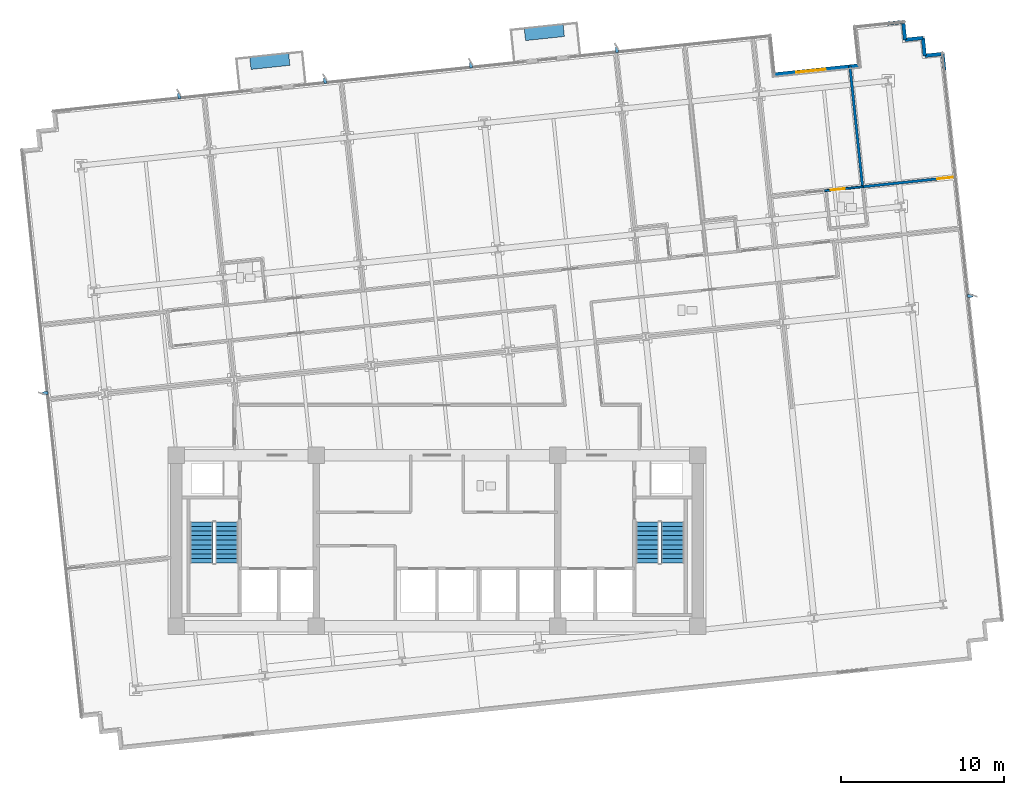
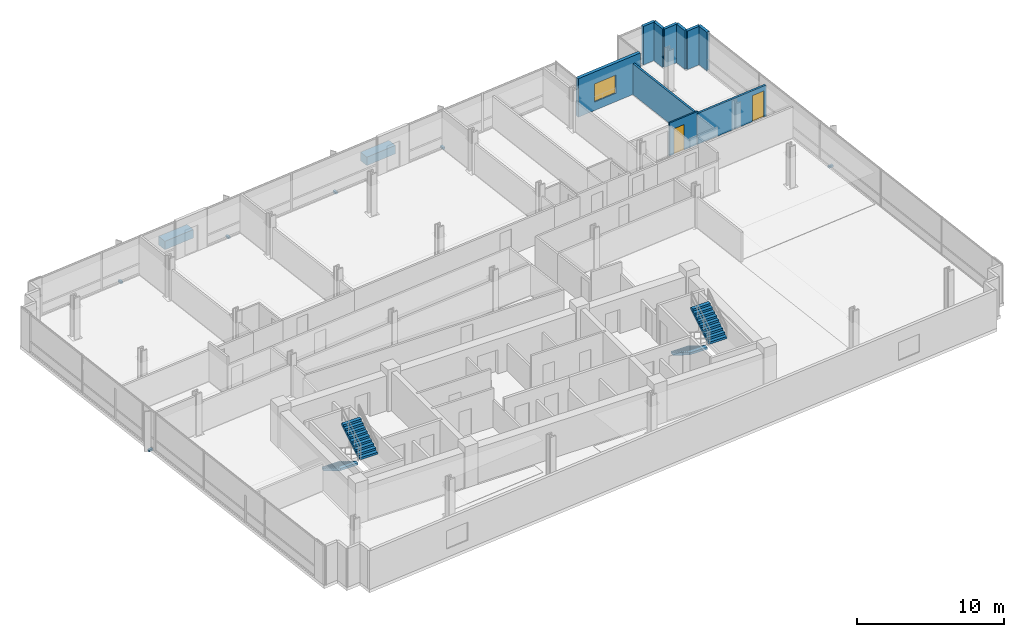
# One storey, part 16 of 20: 10 walls, 8 discrete accessories, 4 stair flights, 2 doors, 1 window, 3 openings, 2 elements without a shape of their own.
"""IFC4 building model written with IfcOpenShell, lengths in metres."""

from ifc_helpers import new_model, si_unit, direction, frame, frame_2d, origin, origin_2d, place, context, subcontext, project, spatial, polyline, rectangle, outline, extrude, material, layer, layer_set, type_object, element, fill, aggregate, save


model = new_model("IFC4")

# Units and contexts
model_context = context("Model", 3, precision=1e-05, world=origin(), true_north=direction((0.0, 1.0)))
body_context = subcontext(model_context, "Body", "Model", "MODEL_VIEW")
ifc_project = project(units=[si_unit("LENGTHUNIT", "METRE"), si_unit("AREAUNIT", "SQUARE_METRE"), si_unit("VOLUMEUNIT", "CUBIC_METRE"), si_unit("PLANEANGLEUNIT", "RADIAN"), si_unit("MASSUNIT", "GRAM", prefix="KILO")], contexts=[model_context])

# Site, building, storey
site_placement = place(None, origin())
site = spatial("IfcSite", under=ifc_project, at=site_placement, CompositionType="ELEMENT")
building_placement = place(site_placement, origin())
building = spatial("IfcBuilding", under=site, at=building_placement, Name="Solmavex Isthmus Hotel", CompositionType="ELEMENT")
storey_placement = place(building_placement, frame((0.0, 0.0, 109.800048828125)))
storey = spatial("IfcBuildingStorey", under=building, at=storey_placement, Name="L29", CompositionType="ELEMENT", Elevation=109.800048828125)

# Wall, opening, window
ifc_material_1 = material(Name="Precast Concrete C40/50", Category="concrete")
ifc_layer_1 = layer(ifc_material_1, 0.25)
ifc_layer_set_1 = layer_set([ifc_layer_1], Name="Precast Concrete C40/50")
wall_type_1 = type_object("IfcWallType", Name="EW-TWR-250", PredefinedType="STANDARD", material=ifc_layer_set_1)
wall_1_placement = place(storey_placement, frame((20.6982421875, 20.8369140625, 0.0), z_axis=(0.0, 0.0, 1.0), x_axis=(0.994519078969, 0.104555256048, 0.0)))
wall_1 = element("IfcWall", 1, at=wall_1_placement, inside=storey, type_object=wall_type_1, Name="Sky Garden Back Facade Wall L29", PredefinedType="STANDARD", context=body_context, shape_type="SweptSolid", body=[
    extrude(rectangle(XDim=5.2001953125, YDim=0.25, at=frame_2d((2.60009765625, 0.0))), origin(), (0.0, 0.0, 1.0), 3.18994140625),
])
opening_1_placement = place(wall_1_placement, frame((1.35009765625, 0.0, 0.699951171875)))
opening_1 = element("IfcOpeningElement", 2, at=opening_1_placement, cuts=wall_1, Name="Opening WN-02", PredefinedType="OPENING", context=body_context, shape_type="SweptSolid", body=[
    extrude(rectangle(XDim=1.800048828125, YDim=1.5, at=frame_2d((0.89990234375, 0.75))), frame((0.0, 0.135009765625, 0.0), z_axis=(0.0, -1.0, 0.0), x_axis=(1.0, 0.0, 0.0)), (0.0, 0.0, 1.0), 0.27001953125),
])
ifc_material_2 = material(Name="Clear low-E laminated glass", Category="glass")
window_type = type_object("IfcWindowType", Name="WIN-TWR-1800", PartitioningType="SINGLE_PANEL", PredefinedType="WINDOW", material=ifc_material_2)
window_placement = place(opening_1_placement, origin())
window = element("IfcWindow", 3, at=window_placement, inside=storey, type_object=window_type, Name="Sky Garden Overlook Window L29", OverallHeight=1.5, OverallWidth=1.800048828125, PartitioningType="SINGLE_PANEL", PredefinedType="WINDOW", context=body_context, shape_type="SweptSolid", body=[
    extrude(rectangle(XDim=1.800048828125, YDim=1.5, at=frame_2d((0.89990234375, 0.75))), frame((0.0, 0.030029296875, 0.0), z_axis=(0.0, -1.0, 0.0), x_axis=(1.0, 0.0, 0.0)), (0.0, 0.0, 1.0), 0.06005859375),
])
fill(opening_1, window)

# Walls
wall_2_placement = place(storey_placement, frame((27.609130859375, 23.966552734375, 0.0), z_axis=(0.0, 0.0, 1.0), x_axis=(0.994516259927, 0.104582067016, 0.0)))
element("IfcWall", 4, at=wall_2_placement, inside=storey, type_object=wall_type_1, Name="Serrated Corner Facade Panel L29-14", PredefinedType="STANDARD", context=body_context, shape_type="SweptSolid", body=[
    extrude(rectangle(XDim=0.98974609375, YDim=0.219970703125, at=frame_2d((0.494873046875, 0.0))), origin(), (0.0, 0.0, 1.0), 3.18994140625),
])
for number, where, z_axis, x_axis, name in (
    (5, (28.593505859375, 24.070068359375, 0.0), (0.0, 0.0, 1.0), (0.104534592565, -0.994521251134, 0.0), "Serrated Corner Facade Panel L29-15"),
    (6, (28.70849609375, 22.97607421875, 0.0), (0.0, 0.0, 1.0), (0.994521251134, 0.104534592565, 0.0), "Serrated Corner Facade Panel L29-16"),
    (7, (29.802490234375, 23.091064453125, 0.0), (0.0, 0.0, 1.0), (0.104534592565, -0.994521251134, 0.0), "Serrated Corner Facade Panel L29-17"),
    (8, (29.91748046875, 21.9970703125, 0.0), (0.0, 0.0, 1.0), (0.994521251134, 0.104534592565, 0.0), "Serrated Corner Facade Panel L29-18"),
):
    element("IfcWall", number, at=place(storey_placement, frame(where, z_axis=z_axis, x_axis=x_axis)), inside=storey, type_object=wall_type_1, Name=name, PredefinedType="STANDARD", context=body_context, shape_type="SweptSolid", body=[
        extrude(rectangle(XDim=1.10009765625, YDim=0.219970703125, at=frame_2d((0.550048828125, 0.0))), origin(), (0.0, 0.0, 1.0), 3.18994140625),
    ])
wall_3_placement = place(storey_placement, frame((31.011474609375, 22.112060546875, 0.0), z_axis=(0.0, 0.0, 1.0), x_axis=(0.104556418955, -0.99451895671, 0.0)))
element("IfcWall", 9, at=wall_3_placement, inside=storey, type_object=wall_type_1, Name="Serrated Corner Facade Panel L29-19", PredefinedType="STANDARD", context=body_context, shape_type="SweptSolid", body=[
    extrude(rectangle(XDim=0.989990234375, YDim=0.219970703125, at=frame_2d((0.4951171875, 0.0))), origin(), (0.0, 0.0, 1.0), 3.18994140625),
])

# Wall, opening, door
ifc_material_3 = material(Name="Gypsum plasterboard lining", Category="gypsum")
ifc_layer_2 = layer(ifc_material_3, 0.159912109375)
ifc_layer_set_2 = layer_set([ifc_layer_2], Name="Gypsum plasterboard lining")
wall_type_2 = type_object("IfcWallType", Name="IW-COMP-160", PredefinedType="PARTITIONING", material=ifc_layer_set_2)
wall_4_placement = place(storey_placement, frame((26.052734375, 13.95703125, 0.0), z_axis=(0.0, 0.0, 1.0), x_axis=(0.994523155578, 0.104516472481, 0.0)))
wall_4 = element("IfcWall", 10, at=wall_4_placement, inside=storey, type_object=wall_type_2, Name="Interior Partition Wall W-L29-P047", PredefinedType="PARTITIONING", context=body_context, shape_type="SweptSolid", body=[
    extrude(rectangle(XDim=5.81396484375, YDim=0.159912109375, at=frame_2d((2.906982421875, 0.0))), origin(), (0.0, 0.0, 1.0), 2.55322265625),
])
opening_2_placement = place(wall_4_placement, frame((4.654052734375, 0.0, 0.0)))
opening_2 = element("IfcOpeningElement", 11, at=opening_2_placement, cuts=wall_4, Name="Opening ID-C095", PredefinedType="OPENING", context=body_context, shape_type="SweptSolid", body=[
    extrude(rectangle(XDim=0.949951171875, YDim=2.14990234375, at=frame_2d((0.47509765625, 1.074951171875))), frame((0.0, 0.08984375, 0.0), z_axis=(0.0, -1.0, 0.0), x_axis=(1.0, 0.0, 0.0)), (0.0, 0.0, 1.0), 0.179931640625),
])
ifc_material_4 = material(Name="Hardwood timber", Category="wood")
door_type_1 = type_object("IfcDoorType", Name="IDR-FD60-0950", OperationType="NOTDEFINED", PredefinedType="DOOR", material=ifc_material_4)
door_1_placement = place(opening_2_placement, origin())
door_1 = element("IfcDoor", 12, at=door_1_placement, inside=storey, type_object=door_type_1, Name="Ambassador Panorama Suite Panorama Sitting Study Door L29-11", OperationType="SINGLE_SWING_LEFT", OverallHeight=2.14990234375, OverallWidth=0.949951171875, PredefinedType="DOOR", context=body_context, shape_type="SweptSolid", body=[
    extrude(rectangle(XDim=0.949951171875, YDim=2.14990234375, at=frame_2d((0.47509765625, 1.074951171875))), frame((0.0, 0.02490234375, 0.0), z_axis=(0.0, -1.0, 0.0), x_axis=(1.0, 0.0, 0.0)), (0.0, 0.0, 1.0), 0.050048828125),
])
fill(opening_2, door_1)

# Wall
wall_5_placement = place(storey_placement, frame((25.32470703125, 21.363525390625, 0.0), z_axis=(0.0, 0.0, 1.0), x_axis=(0.1045132307, -0.994523496258, 0.0)))
element("IfcWall", 13, at=wall_5_placement, inside=storey, type_object=wall_type_2, Name="Interior Partition Wall W-L29-P052", PredefinedType="PARTITIONING", context=body_context, shape_type="SweptSolid", body=[
    extrude(rectangle(XDim=7.482177734375, YDim=0.159912109375, at=frame_2d((3.7412109375, 0.0))), origin(), (0.0, 0.0, 1.0), 2.55322265625),
])

# Wall, opening, door
ifc_layer_3 = layer(ifc_material_3, 0.1201171875)
ifc_layer_set_3 = layer_set([ifc_layer_3], Name="Gypsum plasterboard lining")
wall_type_3 = type_object("IfcWallType", Name="IW-PART-120", PredefinedType="PARTITIONING", material=ifc_layer_set_3)
wall_6_placement = place(storey_placement, frame((26.142333984375, 13.96630859375, 0.0), z_axis=(0.0, 0.0, 1.0), x_axis=(-0.994528550709, -0.104465122526, 0.0)))
wall_6 = element("IfcWall", 14, at=wall_6_placement, inside=storey, type_object=wall_type_3, Name="Interior Partition Wall W-L29-P053", PredefinedType="PARTITIONING", context=body_context, shape_type="SweptSolid", body=[
    extrude(rectangle(XDim=2.3720703125, YDim=0.1201171875, at=frame_2d((1.18603515625, 0.0))), origin(), (0.0, 0.0, 1.0), 2.718017578125),
])
opening_3_placement = place(wall_6_placement, frame((1.14599609375, 0.0, 0.0)))
opening_3 = element("IfcOpeningElement", 15, at=opening_3_placement, cuts=wall_6, Name="Opening ID-U085", PredefinedType="OPENING", context=body_context, shape_type="SweptSolid", body=[
    extrude(rectangle(XDim=0.85009765625, YDim=2.10009765625, at=frame_2d((0.425048828125, 1.050048828125))), frame((0.0, 0.070068359375, 0.0), z_axis=(0.0, -1.0, 0.0), x_axis=(1.0, 0.0, 0.0)), (0.0, 0.0, 1.0), 0.14013671875),
])
door_type_2 = type_object("IfcDoorType", Name="IDR-UNR-0850", OperationType="NOTDEFINED", PredefinedType="DOOR", material=ifc_material_4)
door_2_placement = place(opening_3_placement, frame((0.85009765625, 0.0, 0.0), z_axis=(0.0, 0.0, 1.0), x_axis=(-1.0, 0.0, 0.0)))
door_2 = element("IfcDoor", 16, at=door_2_placement, inside=storey, type_object=door_type_2, Name="En-suite Bathroom Door L29-12", OperationType="SINGLE_SWING_RIGHT", OverallHeight=2.10009765625, OverallWidth=0.85009765625, PredefinedType="DOOR", context=body_context, shape_type="SweptSolid", body=[
    extrude(rectangle(XDim=0.85009765625, YDim=2.10009765625, at=frame_2d((0.425048828125, 1.050048828125))), frame((0.0, 0.02490234375, 0.0), z_axis=(0.0, -1.0, 0.0), x_axis=(1.0, 0.0, 0.0)), (0.0, 0.0, 1.0), 0.050048828125),
])
fill(opening_3, door_2)

# Stair, stair flights
ifc_material_5 = material(Name="Concrete C40/50", Category="concrete")
stair_type_1 = type_object("IfcStairType", Name="STR-ST-1", PredefinedType="HALF_TURN_STAIR", material=ifc_material_5)
stair_1_placement = place(storey_placement, origin())
stair_1 = element("IfcStair", 17, at=stair_1_placement, inside=storey, type_object=stair_type_1, Name="L29 Protected Exit Stair ST-1", PredefinedType="HALF_TURN_STAIR")
stair_flight_type_1 = type_object("IfcStairFlightType", Name="SFL-ST-1", PredefinedType="STRAIGHT", material=ifc_material_5)
stair_flight_1_placement = place(storey_placement, frame((-14.449951171875, -6.60009765625, 0.0), z_axis=(0.0, 0.0, 1.0), x_axis=(0.0, -1.0, 0.0)))
stair_flight_1 = element("IfcStairFlight", 18, at=stair_flight_1_placement, type_object=stair_flight_type_1, Name="ST-1 flight 1", NumberOfRisers=10, NumberOfTreads=9, PredefinedType="STRAIGHT", RiserHeight=0.1725, TreadLength=0.28, context=body_context, shape_type="SweptSolid", body=[
    extrude(outline(polyline([(0.0, 0.0), (0.0, 0.172607421875), (0.280029296875, 0.172607421875), (0.280029296875, 0.344970703125), (0.56005859375, 0.344970703125), (0.56005859375, 0.517578125), (0.840087890625, 0.517578125), (0.840087890625, 0.68994140625), (1.1201171875, 0.68994140625), (1.1201171875, 0.862548828125), (1.39990234375, 0.862548828125), (1.39990234375, 1.034912109375), (1.679931640625, 1.034912109375), (1.679931640625, 1.20751953125), (1.9599609375, 1.20751953125), (1.9599609375, 1.3798828125), (2.239990234375, 1.3798828125), (2.239990234375, 1.552490234375), (2.52001953125, 1.552490234375), (2.52001953125, 1.72509765625), (2.52001953125, 1.37646484375), (0.285888671875, 0.0), (0.0, 0.0)])), frame((0.0, 0.699951171875, 0.0), z_axis=(0.0, -1.0, 0.0), x_axis=(1.0, 0.0, 0.0)), (0.0, 0.0, 1.0), 1.39990234375),
])
stair_flight_2_placement = place(storey_placement, frame((-12.89990234375, -9.1201171875, 1.724853515625), z_axis=(0.0, 0.0, 1.0), x_axis=(0.0, 1.0, 0.0)))
stair_flight_2 = element("IfcStairFlight", 19, at=stair_flight_2_placement, type_object=stair_flight_type_1, Name="ST-1 flight 2", NumberOfRisers=10, NumberOfTreads=9, PredefinedType="STRAIGHT", RiserHeight=0.1725, TreadLength=0.28, context=body_context, shape_type="SweptSolid", body=[
    extrude(outline(polyline([(0.0, 0.0), (0.0, 0.172607421875), (0.280029296875, 0.172607421875), (0.280029296875, 0.344970703125), (0.56005859375, 0.344970703125), (0.56005859375, 0.517578125), (0.840087890625, 0.517578125), (0.840087890625, 0.68994140625), (1.1201171875, 0.68994140625), (1.1201171875, 0.862548828125), (1.39990234375, 0.862548828125), (1.39990234375, 1.034912109375), (1.679931640625, 1.034912109375), (1.679931640625, 1.20751953125), (1.9599609375, 1.20751953125), (1.9599609375, 1.3798828125), (2.239990234375, 1.3798828125), (2.239990234375, 1.552490234375), (2.52001953125, 1.552490234375), (2.52001953125, 1.72509765625), (2.52001953125, 1.37646484375), (0.285888671875, 0.0), (0.0, 0.0)])), frame((0.0, 0.699951171875, 0.0), z_axis=(0.0, -1.0, 0.0), x_axis=(1.0, 0.0, 0.0)), (0.0, 0.0, 1.0), 1.39990234375),
])
aggregate(stair_1, [stair_flight_1, stair_flight_2])

stair_type_2 = type_object("IfcStairType", Name="STR-ST-2", PredefinedType="HALF_TURN_STAIR", material=ifc_material_5)
stair_2_placement = place(storey_placement, origin())
stair_2 = element("IfcStair", 20, at=stair_2_placement, inside=storey, type_object=stair_type_2, Name="L29 Protected Exit Stair ST-2", PredefinedType="HALF_TURN_STAIR")
stair_flight_type_2 = type_object("IfcStairFlightType", Name="SFL-ST-2", PredefinedType="STRAIGHT", material=ifc_material_5)
stair_flight_3_placement = place(storey_placement, frame((12.89990234375, -6.60009765625, 0.0), z_axis=(0.0, 0.0, 1.0), x_axis=(0.0, -1.0, 0.0)))
stair_flight_3 = element("IfcStairFlight", 21, at=stair_flight_3_placement, type_object=stair_flight_type_2, Name="ST-2 flight 1", NumberOfRisers=10, NumberOfTreads=9, PredefinedType="STRAIGHT", RiserHeight=0.1725, TreadLength=0.28, context=body_context, shape_type="SweptSolid", body=[
    extrude(outline(polyline([(0.0, 0.0), (0.0, 0.172607421875), (0.280029296875, 0.172607421875), (0.280029296875, 0.344970703125), (0.56005859375, 0.344970703125), (0.56005859375, 0.517578125), (0.840087890625, 0.517578125), (0.840087890625, 0.68994140625), (1.1201171875, 0.68994140625), (1.1201171875, 0.862548828125), (1.39990234375, 0.862548828125), (1.39990234375, 1.034912109375), (1.679931640625, 1.034912109375), (1.679931640625, 1.20751953125), (1.9599609375, 1.20751953125), (1.9599609375, 1.3798828125), (2.239990234375, 1.3798828125), (2.239990234375, 1.552490234375), (2.52001953125, 1.552490234375), (2.52001953125, 1.72509765625), (2.52001953125, 1.37646484375), (0.285888671875, 0.0), (0.0, 0.0)])), frame((0.0, 0.699951171875, 0.0), z_axis=(0.0, -1.0, 0.0), x_axis=(1.0, 0.0, 0.0)), (0.0, 0.0, 1.0), 1.39990234375),
])
stair_flight_4_placement = place(storey_placement, frame((14.449951171875, -9.1201171875, 1.724853515625), z_axis=(0.0, 0.0, 1.0), x_axis=(0.0, 1.0, 0.0)))
stair_flight_4 = element("IfcStairFlight", 22, at=stair_flight_4_placement, type_object=stair_flight_type_2, Name="ST-2 flight 2", NumberOfRisers=10, NumberOfTreads=9, PredefinedType="STRAIGHT", RiserHeight=0.1725, TreadLength=0.28, context=body_context, shape_type="SweptSolid", body=[
    extrude(outline(polyline([(0.0, 0.0), (0.0, 0.172607421875), (0.280029296875, 0.172607421875), (0.280029296875, 0.344970703125), (0.56005859375, 0.344970703125), (0.56005859375, 0.517578125), (0.840087890625, 0.517578125), (0.840087890625, 0.68994140625), (1.1201171875, 0.68994140625), (1.1201171875, 0.862548828125), (1.39990234375, 0.862548828125), (1.39990234375, 1.034912109375), (1.679931640625, 1.034912109375), (1.679931640625, 1.20751953125), (1.9599609375, 1.20751953125), (1.9599609375, 1.3798828125), (2.239990234375, 1.3798828125), (2.239990234375, 1.552490234375), (2.52001953125, 1.552490234375), (2.52001953125, 1.72509765625), (2.52001953125, 1.37646484375), (0.285888671875, 0.0), (0.0, 0.0)])), frame((0.0, 0.699951171875, 0.0), z_axis=(0.0, -1.0, 0.0), x_axis=(1.0, 0.0, 0.0)), (0.0, 0.0, 1.0), 1.39990234375),
])
aggregate(stair_2, [stair_flight_3, stair_flight_4])

# Discrete accessories
ifc_material_6 = material(Name="Steel ASTM A572 Grade 50", Category="steel")
discrete_accessory_type_1 = type_object("IfcDiscreteAccessoryType", Name="ACC-BRK-FIN", PredefinedType="BRACKET", material=ifc_material_6)
for number, where, z_axis, x_axis, name in (
    (23, (-15.8154296875, 19.533203125, -0.169921875), (0.0, 0.0, 1.0), (-0.104528463268, 0.994521895368, 0.0), "Facade Fin Support Bracket L29-N1"),
    (24, (-6.86474609375, 20.473876953125, -0.169921875), (0.0, 0.0, 1.0), (-0.104528463268, 0.994521895368, 0.0), "Facade Fin Support Bracket L29-N2"),
    (25, (2.0859375, 21.41455078125, -0.169921875), (0.0, 0.0, 1.0), (-0.104528463268, 0.994521895368, 0.0), "Facade Fin Support Bracket L29-N3"),
    (26, (11.03662109375, 22.35546875, -0.169921875), (0.0, 0.0, 1.0), (-0.104528463268, 0.994521895368, 0.0), "Facade Fin Support Bracket L29-N4"),
    (27, (-24.025146484375, 1.30517578125, -0.169921875), (0.0, 0.0, 1.0), (-0.994521895368, -0.104528463268, 0.0), "Facade Fin Support Bracket L29-W1"),
    (28, (32.702392578125, 7.267578125, -0.169921875), (0.0, 0.0, 1.0), (0.994521895368, 0.104528463268, 0.0), "Facade Fin Support Bracket L29-E1"),
):
    element("IfcDiscreteAccessory", number, at=place(storey_placement, frame(where, z_axis=z_axis, x_axis=x_axis)), inside=storey, type_object=discrete_accessory_type_1, Name=name, PredefinedType="BRACKET", context=body_context, shape_type="SweptSolid", body=[
        extrude(rectangle(XDim=0.340087890625, YDim=0.179931640625, at=origin_2d()), origin(), (0.0, 0.0, 1.0), 0.159912109375),
    ])
discrete_accessory_type_2 = type_object("IfcDiscreteAccessoryType", Name="ACC-PLN-BALC", PredefinedType="USERDEFINED", material=ifc_material_1)
for number, where, z_axis, x_axis, name in (
    (29, (-10.255859375, 21.656005859375, 0.0), (0.0, 0.0, 1.0), (0.994521895368, 0.104528463268, 0.0), "Tree-Balcony Architectural Planter L29-B1"),
    (30, (6.583251953125, 23.42578125, 0.0), (0.0, 0.0, 1.0), (0.994521895368, 0.104528463268, 0.0), "Tree-Balcony Architectural Planter L29-B2"),
):
    element("IfcDiscreteAccessory", number, at=place(storey_placement, frame(where, z_axis=z_axis, x_axis=x_axis)), inside=storey, type_object=discrete_accessory_type_2, Name=name, ObjectType="PLANTER", PredefinedType="USERDEFINED", context=body_context, shape_type="SweptSolid", body=[
        extrude(rectangle(XDim=2.39990234375, YDim=0.75, at=origin_2d()), origin(), (0.0, 0.0, 1.0), 0.699951171875),
    ])

save(model, "model.ifc")
